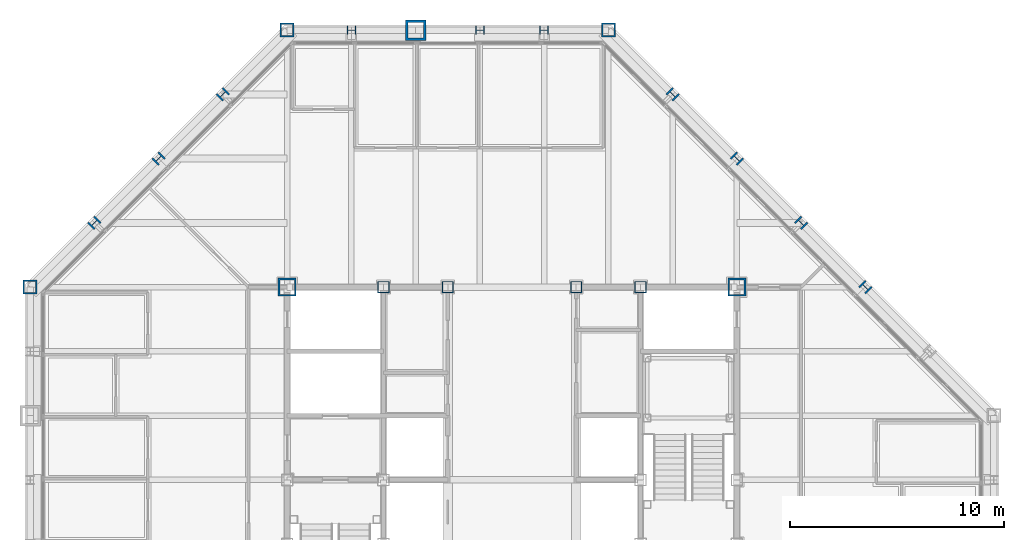
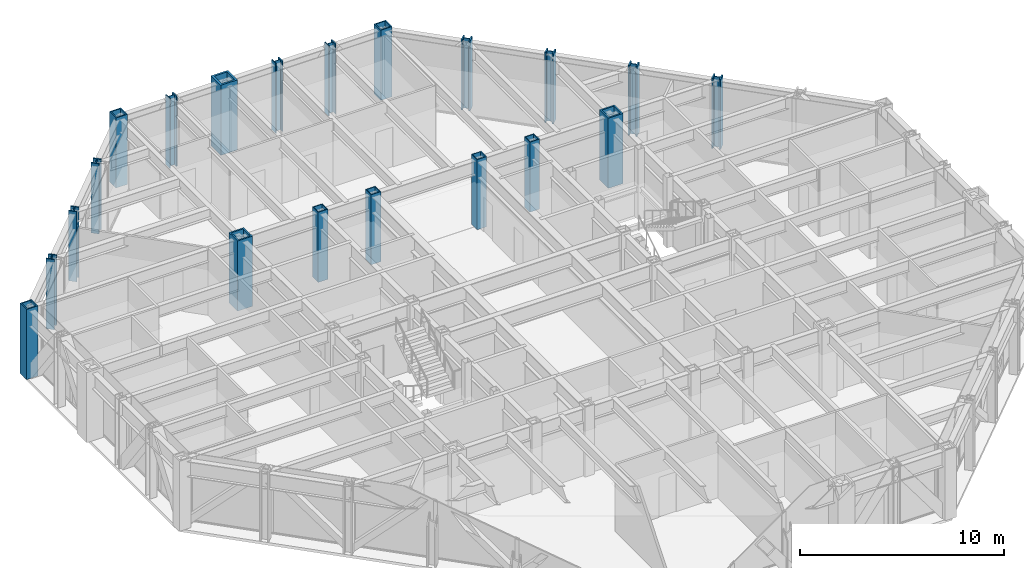
# One storey, part 4 of 16: 20 columns.
"""IFC4 building model written with IfcOpenShell, lengths in metres."""

from ifc_helpers import new_model, si_unit, direction, frame, origin, origin_2d, place, context, subcontext, project, spatial, hollow_rectangle, i_section, extrude, material, material_profile, profile_set, type_object, element, save


model = new_model("IFC4")

# Units and contexts
model_context = context("Model", 3, precision=1e-05, world=origin(), true_north=direction((0.0, 1.0)))
body_context = subcontext(model_context, "Body", "Model", "MODEL_VIEW")
ifc_project = project(units=[si_unit("LENGTHUNIT", "METRE"), si_unit("AREAUNIT", "SQUARE_METRE"), si_unit("VOLUMEUNIT", "CUBIC_METRE"), si_unit("PLANEANGLEUNIT", "RADIAN"), si_unit("MASSUNIT", "GRAM", prefix="KILO")], contexts=[model_context])

# Site, building, storey
site_placement = place(None, origin())
site = spatial("IfcSite", under=ifc_project, at=site_placement, CompositionType="ELEMENT")
building_placement = place(site_placement, origin())
building = spatial("IfcBuilding", under=site, at=building_placement, Name="Chuquiago Exchange Tower", CompositionType="ELEMENT")
storey_placement = place(building_placement, frame((0.0, 0.0, 226.5)))
storey = spatial("IfcBuildingStorey", under=building, at=storey_placement, Name="L50", CompositionType="ELEMENT", Elevation=226.5)

# Columns
ifc_material_1 = material(Name="Steel ASTM A992", Category="steel")
ifc_material_profile_1 = material_profile(ifc_material_1, i_section(OverallWidth=0.408935546875, OverallDepth=0.424072265625, WebThickness=0.03271484375, FlangeThickness=0.052490234375, at=origin_2d()), Name="W14X283")
ifc_profile_set_1 = profile_set([ifc_material_profile_1], Name="Steel ASTM A992")
column_type_1 = type_object("IfcColumnType", Name="C8 W14X283", PredefinedType="COLUMN", material=ifc_profile_set_1)
for number, where, z_axis, x_axis, name in (
    (1, (24.0, 45.0, 0.0), (0.0, 0.0, 1.0), (0.0, 1.0, 0.0), "COL-L50-24_45"),
    (2, (21.0, 45.0, 0.0), (0.0, 0.0, 1.0), (0.0, 1.0, 0.0), "COL-L50-21_45"),
    (3, (15.0, 45.0, 0.0), (0.0, 0.0, 1.0), (0.0, 1.0, 0.0), "COL-L50-15_45"),
):
    element("IfcColumn", number, at=place(storey_placement, frame(where, z_axis=z_axis, x_axis=x_axis)), inside=storey, type_object=column_type_1, Name=name, PredefinedType="COLUMN", context=body_context, shape_type="SweptSolid", body=[
        extrude(i_section(OverallWidth=0.408935546875, OverallDepth=0.424072265625, WebThickness=0.03271484375, FlangeThickness=0.052490234375, at=origin_2d()), origin(), (0.0, 0.0, 1.0), 4.199951171875),
    ])
ifc_material_2 = material(Name="Steel ASTM A572 Grade 50", Category="steel")
ifc_material_profile_2 = material_profile(ifc_material_2, hollow_rectangle(XDim=0.85009765625, YDim=0.85009765625, WallThickness=0.0849609375, at=origin_2d()), Name="BOX850X850X85")
ifc_profile_set_2 = profile_set([ifc_material_profile_2], Name="Steel ASTM A572 Grade 50")
column_type_2 = type_object("IfcColumnType", Name="CC6 BOX850X850X85", PredefinedType="COLUMN", material=ifc_profile_set_2)
for number, where, z_axis, x_axis, name in (
    (4, (12.0, 33.0, 0.0), (0.0, 0.0, 1.0), (1.0, 0.0, 0.0), "CCOL-L50-12_33"),
    (5, (33.0, 33.0, 0.0), (0.0, 0.0, 1.0), (1.0, 0.0, 0.0), "CCOL-L50-33_33"),
):
    element("IfcColumn", number, at=place(storey_placement, frame(where, z_axis=z_axis, x_axis=x_axis)), inside=storey, type_object=column_type_2, Name=name, PredefinedType="COLUMN", context=body_context, shape_type="SweptSolid", body=[
        extrude(hollow_rectangle(XDim=0.85009765625, YDim=0.85009765625, WallThickness=0.0849609375, at=origin_2d()), origin(), (0.0, 0.0, 1.0), 4.199951171875),
    ])
ifc_material_3 = material(Name="Steel ASTM A572 Grade 50", Category="steel")
ifc_material_profile_3 = material_profile(ifc_material_3, hollow_rectangle(XDim=0.550048828125, YDim=0.550048828125, WallThickness=0.044921875, at=origin_2d()), Name="BOX550X550X45")
ifc_profile_set_3 = profile_set([ifc_material_profile_3], Name="Steel ASTM A572 Grade 50")
column_type_3 = type_object("IfcColumnType", Name="CC8 BOX550X550X45", PredefinedType="COLUMN", material=ifc_profile_set_3)
for number, where, z_axis, x_axis, name in (
    (6, (16.5, 33.0, 0.0), (0.0, 0.0, 1.0), (1.0, 0.0, 0.0), "CCOL-L50-16.5_33"),
    (7, (19.5, 33.0, 0.0), (0.0, 0.0, 1.0), (1.0, 0.0, 0.0), "CCOL-L50-19.5_33"),
    (8, (25.5, 33.0, 0.0), (0.0, 0.0, 1.0), (1.0, 0.0, 0.0), "CCOL-L50-25.5_33"),
    (9, (28.5, 33.0, 0.0), (0.0, 0.0, 1.0), (1.0, 0.0, 0.0), "CCOL-L50-28.5_33"),
):
    element("IfcColumn", number, at=place(storey_placement, frame(where, z_axis=z_axis, x_axis=x_axis)), inside=storey, type_object=column_type_3, Name=name, PredefinedType="COLUMN", context=body_context, shape_type="SweptSolid", body=[
        extrude(hollow_rectangle(XDim=0.550048828125, YDim=0.550048828125, WallThickness=0.044921875, at=origin_2d()), origin(), (0.0, 0.0, 1.0), 4.199951171875),
    ])
ifc_material_4 = material(Name="Steel ASTM A992", Category="steel")
ifc_material_profile_4 = material_profile(ifc_material_4, i_section(OverallWidth=0.421630859375, OverallDepth=0.46484375, WebThickness=0.044921875, FlangeThickness=0.072509765625, at=origin_2d()), Name="W14X398")
ifc_profile_set_4 = profile_set([ifc_material_profile_4], Name="Steel ASTM A992")
column_type_4 = type_object("IfcColumnType", Name="CK7 W14X398", PredefinedType="COLUMN", material=ifc_profile_set_4)
for number, where, z_axis, x_axis, name in (
    (10, (39.0, 33.0, 0.0), (0.0, 0.0, 1.0), (0.707106781187, 0.707106781187, 0.0), "COL-L50-39_33"),
    (11, (36.0, 36.0, 0.0), (0.0, 0.0, 1.0), (0.707106781187, 0.707106781187, 0.0), "COL-L50-36_36"),
    (12, (33.0, 39.0, 0.0), (0.0, 0.0, 1.0), (0.707106781187, 0.707106781187, 0.0), "COL-L50-33_39"),
    (13, (30.0, 42.0, 0.0), (0.0, 0.0, 1.0), (0.707106781187, 0.707106781187, 0.0), "COL-L50-30_42"),
    (14, (9.0, 42.0, 0.0), (0.0, 0.0, 1.0), (-0.707106781187, 0.707106781187, 0.0), "COL-L50-9_42"),
    (15, (6.0, 39.0, 0.0), (0.0, 0.0, 1.0), (-0.707106781187, 0.707106781187, 0.0), "COL-L50-6_39"),
    (16, (3.0, 36.0, 0.0), (0.0, 0.0, 1.0), (-0.707106781187, 0.707106781187, 0.0), "COL-L50-3_36"),
):
    element("IfcColumn", number, at=place(storey_placement, frame(where, z_axis=z_axis, x_axis=x_axis)), inside=storey, type_object=column_type_4, Name=name, PredefinedType="COLUMN", context=body_context, shape_type="SweptSolid", body=[
        extrude(i_section(OverallWidth=0.421630859375, OverallDepth=0.46484375, WebThickness=0.044921875, FlangeThickness=0.072509765625, at=origin_2d()), origin(), (0.0, 0.0, 1.0), 4.199951171875),
    ])
ifc_material_5 = material(Name="Steel ASTM A572 Grade 50", Category="steel")
ifc_material_profile_5 = material_profile(ifc_material_5, hollow_rectangle(XDim=0.64990234375, YDim=0.64990234375, WallThickness=0.06494140625, at=origin_2d()), Name="BOX650X650X65")
ifc_profile_set_5 = profile_set([ifc_material_profile_5], Name="Steel ASTM A572 Grade 50")
column_type_5 = type_object("IfcColumnType", Name="CN2 BOX650X650X65", PredefinedType="COLUMN", material=ifc_profile_set_5)
for number, where, z_axis, x_axis, name in (
    (17, (27.0, 45.0, 0.0), (0.0, 0.0, 1.0), (0.0, 1.0, 0.0), "COL-L50-27_45"),
    (18, (12.0, 45.0, 0.0), (0.0, 0.0, 1.0), (0.0, 1.0, 0.0), "COL-L50-12_45"),
    (19, (0.0, 33.0, 0.0), (0.0, 0.0, 1.0), (-1.0, 0.0, 0.0), "COL-L50-0_33"),
):
    element("IfcColumn", number, at=place(storey_placement, frame(where, z_axis=z_axis, x_axis=x_axis)), inside=storey, type_object=column_type_5, Name=name, PredefinedType="COLUMN", context=body_context, shape_type="SweptSolid", body=[
        extrude(hollow_rectangle(XDim=0.64990234375, YDim=0.64990234375, WallThickness=0.06494140625, at=origin_2d()), origin(), (0.0, 0.0, 1.0), 4.199951171875),
    ])
ifc_material_6 = material(Name="Steel ASTM A572 Grade 42", Category="steel")
ifc_material_profile_6 = material_profile(ifc_material_6, hollow_rectangle(XDim=0.949951171875, YDim=0.949951171875, WallThickness=0.110107421875, at=origin_2d()), Name="BOX950X950X110")
ifc_profile_set_6 = profile_set([ifc_material_profile_6], Name="Steel ASTM A572 Grade 42")
column_type_6 = type_object("IfcColumnType", Name="CT1 BOX950X950X110", PredefinedType="COLUMN", material=ifc_profile_set_6)
column_placement = place(storey_placement, frame((18.0, 45.0, 0.0), z_axis=(0.0, 0.0, 1.0), x_axis=(0.0, 1.0, 0.0)))
element("IfcColumn", 20, at=column_placement, inside=storey, type_object=column_type_6, Name="COL-L50-18_45", PredefinedType="COLUMN", context=body_context, shape_type="SweptSolid", body=[
    extrude(hollow_rectangle(XDim=0.949951171875, YDim=0.949951171875, WallThickness=0.110107421875, at=origin_2d()), origin(), (0.0, 0.0, 1.0), 4.199951171875),
])

save(model, "model.ifc")
